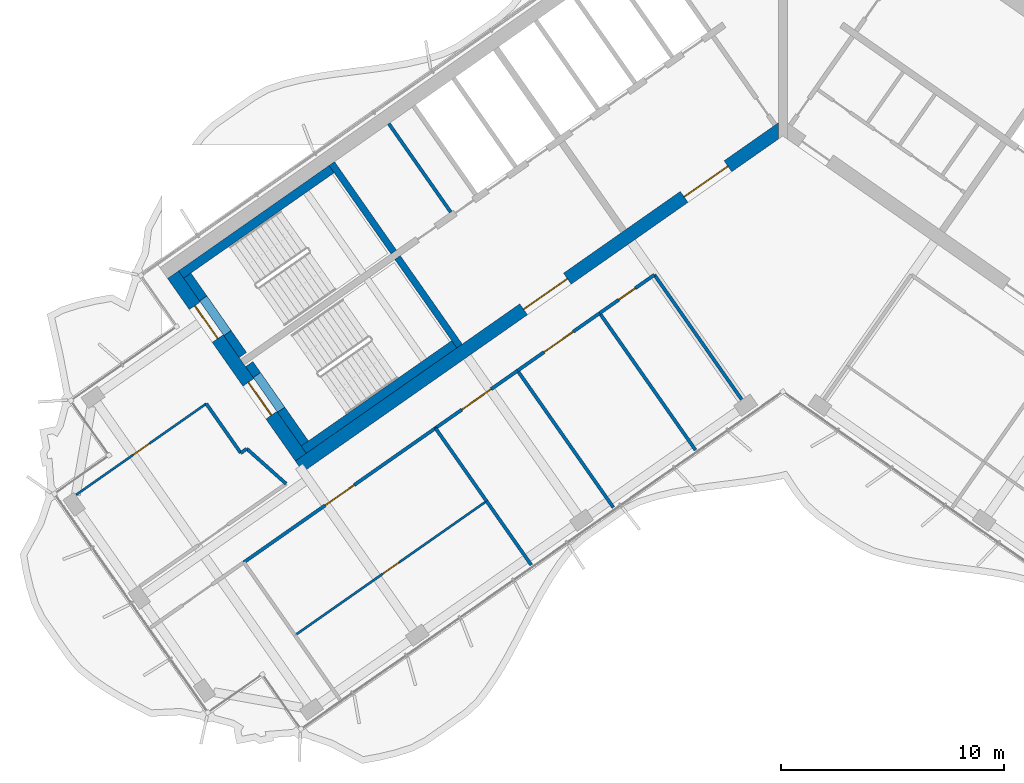
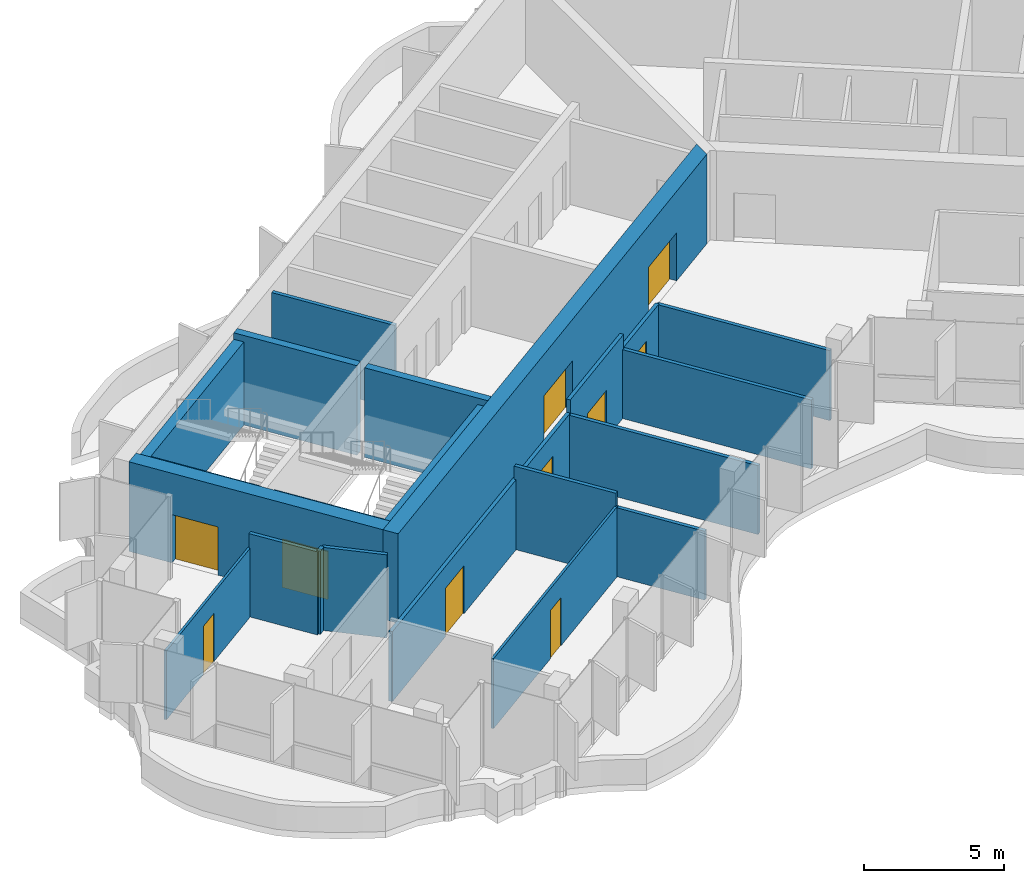
# One storey, part 11 of 20: 27 walls, 10 doors, 10 openings.
"""IFC4 building model written with IfcOpenShell, lengths in metres."""

from ifc_helpers import new_model, si_unit, direction, frame, frame_2d, origin, place, context, subcontext, project, spatial, polyline, rectangle, outline, extrude, material, layer, layer_set, type_object, element, fill, save


model = new_model("IFC4")

# Units and contexts
model_context = context("Model", 3, precision=1e-05, world=origin(), true_north=direction((0.0, 1.0)))
body_context = subcontext(model_context, "Body", "Model", "MODEL_VIEW")
ifc_project = project(units=[si_unit("LENGTHUNIT", "METRE"), si_unit("AREAUNIT", "SQUARE_METRE"), si_unit("VOLUMEUNIT", "CUBIC_METRE"), si_unit("PLANEANGLEUNIT", "RADIAN"), si_unit("MASSUNIT", "GRAM", prefix="KILO")], contexts=[model_context])

# Site, building, storey
site_placement = place(None, origin())
site = spatial("IfcSite", under=ifc_project, at=site_placement, CompositionType="ELEMENT")
building_placement = place(site_placement, origin())
building = spatial("IfcBuilding", under=site, at=building_placement, Name="Tel Ilan Convention Tower", CompositionType="ELEMENT")
storey_placement = place(building_placement, frame((0.0, 0.0, 237.10009765625)))
storey = spatial("IfcBuildingStorey", under=building, at=storey_placement, Name="L55", CompositionType="ELEMENT", Elevation=237.10009765625)

# Walls
ifc_material_1 = material(Name="Gypsum Plasterboard on Steel Stud", Category="steel")
ifc_layer_1 = layer(ifc_material_1, 0.14990234375)
ifc_layer_set_1 = layer_set([ifc_layer_1], Name="Core Room Partition Wall 150 mm EI 60")
wall_type_1 = type_object("IfcWallType", Name="Core Room Partition Wall 150 mm EI 60", PredefinedType="PARTITIONING", material=ifc_layer_set_1)
wall_1_placement = place(storey_placement, frame((-14.909423828125, -4.64111328125, 0.0), z_axis=(0.0, 0.0, 1.0), x_axis=(-0.573560315113, 0.819163332265, 0.0)))
element("IfcWall", 1, at=wall_1_placement, inside=storey, type_object=wall_type_1, Name="L55 core wall bank-W2-split", PredefinedType="PARTITIONING", context=body_context, shape_type="SweptSolid", body=[
    extrude(rectangle(XDim=4.849853515625, YDim=0.14990234375, at=frame_2d((2.4248046875, 0.0))), origin(), (0.0, 0.0, 1.0), 3.619873046875),
])
ifc_material_2 = material(Name="Concrete C40/50", Category="concrete")
ifc_layer_2 = layer(ifc_material_2, 0.300048828125)
ifc_layer_set_2 = layer_set([ifc_layer_2], Name="Core Shear Wall 300 mm C40/50")
wall_type_2 = type_object("IfcWallType", Name="Core Shear Wall 300 mm C40/50", PredefinedType="SHEAR", material=ifc_layer_set_2)
wall_2_placement = place(storey_placement, frame((-14.515380859375, -10.652099609375, 0.0), z_axis=(0.0, 0.0, 1.0), x_axis=(-0.573560315113, 0.819163332265, 0.0)))
element("IfcWall", 2, at=wall_2_placement, inside=storey, type_object=wall_type_2, Name="L55 core wall W-cross2-1", PredefinedType="SHEAR", context=body_context, shape_type="SweptSolid", body=[
    extrude(outline(polyline([(4.85009765625, 0.14990234375), (0.0, 0.14990234375), (0.0, -0.150146484375), (4.85009765625, -0.14990234375), (4.85009765625, 0.14990234375)])), origin(), (0.0, 0.0, 1.0), 3.89990234375),
])
wall_3_placement = place(storey_placement, frame((-17.46923828125, -6.433349609375, 0.0), z_axis=(0.0, 0.0, 1.0), x_axis=(-0.573594092424, 0.81913968109, 0.0)))
element("IfcWall", 3, at=wall_3_placement, inside=storey, type_object=wall_type_2, Name="L55 core wall W-cross2-2", PredefinedType="SHEAR", context=body_context, shape_type="SweptSolid", body=[
    extrude(outline(polyline([(4.849853515625, -0.150146484375), (4.849853515625, 0.14990234375), (0.0, 0.14990234375), (0.0, -0.14990234375), (4.849853515625, -0.150146484375)])), origin(), (0.0, 0.0, 1.0), 3.89990234375),
])

# Wall, openings, doors
ifc_material_3 = material(Name="Concrete C40/50", Category="concrete")
ifc_layer_3 = layer(ifc_material_3, 0.60009765625)
ifc_layer_set_3 = layer_set([ifc_layer_3], Name="Core Shear Wall 600 mm C40/50")
wall_type_3 = type_object("IfcWallType", Name="Core Shear Wall 600 mm C40/50", PredefinedType="SHEAR", material=ifc_layer_set_3)
wall_4_placement = place(storey_placement, frame((-0.02783203125, -0.8740234375, 0.0), z_axis=(0.0, 0.0, 1.0), x_axis=(-0.819150035022, -0.573579305871, 0.0)))
wall_4 = element("IfcWall", 4, at=wall_4_placement, inside=storey, type_object=wall_type_3, Name="L55 core wall W-front", PredefinedType="SHEAR", context=body_context, shape_type="SweptSolid", body=[
    extrude(outline(polyline([(26.475830078125, 0.2998046875), (0.420166015625, 0.300048828125), (0.000244140625, -0.300048828125), (26.475830078125, -0.300048828125), (26.475830078125, 0.2998046875)])), origin(), (0.0, 0.0, 1.0), 3.89990234375),
])
opening_1_placement = place(wall_4_placement, frame((2.975830078125, 0.0, 0.0)))
opening_1 = element("IfcOpeningElement", 5, at=opening_1_placement, cuts=wall_4, Name="Opening CD4206", PredefinedType="OPENING", context=body_context, shape_type="SweptSolid", body=[
    extrude(rectangle(XDim=2.39990234375, YDim=2.10009765625, at=frame_2d((1.199951171875, 1.050048828125))), frame((0.0, 0.31005859375, 0.0), z_axis=(0.0, -1.0, 0.0), x_axis=(1.0, 0.0, 0.0)), (0.0, 0.0, 1.0), 0.6201171875),
])
opening_2_placement = place(wall_4_placement, frame((11.77587890625, 0.0, 0.0)))
opening_2 = element("IfcOpeningElement", 6, at=opening_2_placement, cuts=wall_4, Name="Opening CD4207", PredefinedType="OPENING", context=body_context, shape_type="SweptSolid", body=[
    extrude(rectangle(XDim=2.39990234375, YDim=2.10009765625, at=frame_2d((1.199951171875, 1.050048828125))), frame((0.0, 0.31005859375, 0.0), z_axis=(0.0, -1.0, 0.0), x_axis=(1.0, 0.0, 0.0)), (0.0, 0.0, 1.0), 0.6201171875),
])
ifc_material_4 = material(Name="Glazed Aluminium Door Leaf", Category="aluminium")
door_type_1 = type_object("IfcDoorType", Name="Lobby Opening Door 2400 x 2100 FD60S", OperationType="NOTDEFINED", PredefinedType="DOOR", material=ifc_material_4)
door_1_placement = place(opening_1_placement, origin())
door_1 = element("IfcDoor", 7, at=door_1_placement, inside=storey, type_object=door_type_1, Name="Lift Lobby HR1-HR4 opening", OperationType="DOUBLE_DOOR_SINGLE_SWING", OverallHeight=2.10009765625, OverallWidth=2.39990234375, PredefinedType="DOOR", context=body_context, shape_type="SweptSolid", body=[
    extrude(rectangle(XDim=2.39990234375, YDim=2.10009765625, at=frame_2d((1.199951171875, 1.050048828125))), frame((0.0, 0.02490234375, 0.0), z_axis=(0.0, -1.0, 0.0), x_axis=(1.0, 0.0, 0.0)), (0.0, 0.0, 1.0), 0.050048828125),
])
fill(opening_1, door_1)
door_2_placement = place(opening_2_placement, origin())
door_2 = element("IfcDoor", 8, at=door_2_placement, inside=storey, type_object=door_type_1, Name="Lift Lobby HR5-HR6 opening", OperationType="DOUBLE_DOOR_SINGLE_SWING", OverallHeight=2.10009765625, OverallWidth=2.39990234375, PredefinedType="DOOR", context=body_context, shape_type="SweptSolid", body=[
    extrude(rectangle(XDim=2.39990234375, YDim=2.10009765625, at=frame_2d((1.199951171875, 1.050048828125))), frame((0.0, 0.02490234375, 0.0), z_axis=(0.0, -1.0, 0.0), x_axis=(1.0, 0.0, 0.0)), (0.0, 0.0, 1.0), 0.050048828125),
])
fill(opening_2, door_2)

wall_5_placement = place(storey_placement, frame((-21.641845703125, -15.64208984375, 0.0), z_axis=(0.0, 0.0, 1.0), x_axis=(-0.573586866468, 0.819144740944, 0.0)))
wall_5 = element("IfcWall", 9, at=wall_5_placement, inside=storey, type_object=wall_type_3, Name="L55 core wall W-end", PredefinedType="SHEAR", context=body_context, shape_type="SweptSolid", body=[
    extrude(outline(polyline([(0.0, 0.300048828125), (0.0, -0.2998046875), (10.0, -0.300048828125), (10.0, 0.300048828125), (0.0, 0.300048828125)])), origin(), (0.0, 0.0, 1.0), 3.89990234375),
])
opening_3_placement = place(wall_5_placement, frame((6.5, 0.0, 0.0)))
opening_3 = element("IfcOpeningElement", 10, at=opening_3_placement, cuts=wall_5, Name="Opening SD4201", PredefinedType="OPENING", context=body_context, shape_type="SweptSolid", body=[
    extrude(rectangle(XDim=1.800048828125, YDim=2.10009765625, at=frame_2d((0.89990234375, 1.050048828125))), frame((0.0, 0.31005859375, 0.0), z_axis=(0.0, -1.0, 0.0), x_axis=(1.0, 0.0, 0.0)), (0.0, 0.0, 1.0), 0.6201171875),
])
opening_4_placement = place(wall_5_placement, frame((2.300048828125, 0.0, 0.0)))
opening_4 = element("IfcOpeningElement", 11, at=opening_4_placement, cuts=wall_5, Name="Opening SD4202", PredefinedType="OPENING", context=body_context, shape_type="SweptSolid", body=[
    extrude(rectangle(XDim=1.800048828125, YDim=2.10009765625, at=frame_2d((0.89990234375, 1.050048828125))), frame((0.0, 0.31005859375, 0.0), z_axis=(0.0, -1.0, 0.0), x_axis=(1.0, 0.0, 0.0)), (0.0, 0.0, 1.0), 0.6201171875),
])
ifc_material_5 = material(Name="Galvanised Steel Door Leaf", Category="steel")
door_type_2 = type_object("IfcDoorType", Name="Stair Fire Door 1800 x 2100 FD60S", OperationType="NOTDEFINED", PredefinedType="DOOR", material=ifc_material_5)
door_3_placement = place(opening_3_placement, origin())
door_3 = element("IfcDoor", 12, at=door_3_placement, inside=storey, type_object=door_type_2, Name="Stair S1 door", OperationType="DOUBLE_DOOR_SINGLE_SWING", OverallHeight=2.10009765625, OverallWidth=1.800048828125, PredefinedType="DOOR", context=body_context, shape_type="SweptSolid", body=[
    extrude(rectangle(XDim=1.800048828125, YDim=2.10009765625, at=frame_2d((0.89990234375, 1.050048828125))), frame((0.0, 0.02490234375, 0.0), z_axis=(0.0, -1.0, 0.0), x_axis=(1.0, 0.0, 0.0)), (0.0, 0.0, 1.0), 0.050048828125),
])
fill(opening_3, door_3)
door_4_placement = place(opening_4_placement, origin())
door_4 = element("IfcDoor", 13, at=door_4_placement, inside=storey, type_object=door_type_2, Name="Stair S2 door", OperationType="DOUBLE_DOOR_SINGLE_SWING", OverallHeight=2.10009765625, OverallWidth=1.800048828125, PredefinedType="DOOR", context=body_context, shape_type="SweptSolid", body=[
    extrude(rectangle(XDim=1.800048828125, YDim=2.10009765625, at=frame_2d((0.89990234375, 1.050048828125))), frame((0.0, 0.02490234375, 0.0), z_axis=(0.0, -1.0, 0.0), x_axis=(1.0, 0.0, 0.0)), (0.0, 0.0, 1.0), 0.050048828125),
])
fill(opening_4, door_4)

# Wall, opening, door
ifc_material_6 = material(Name="Plasterboard on Steel Studs", Category="steel")
ifc_layer_4 = layer(ifc_material_6, 0.14990234375)
ifc_layer_set_4 = layer_set([ifc_layer_4], Name="Fire-rated Partition 150 EI 60")
wall_type_4 = type_object("IfcWallType", Name="Fire-rated Partition 150 EI 60", PredefinedType="PARTITIONING", material=ifc_layer_set_4)
wall_6_placement = place(storey_placement, frame((-5.766357421875, -7.455810546875, 0.0), z_axis=(0.0, 0.0, 1.0), x_axis=(-0.81915932427, -0.57356603932, 0.0)))
wall_6 = element("IfcWall", 14, at=wall_6_placement, inside=storey, type_object=wall_type_4, Name="Partition 008", PredefinedType="PARTITIONING", context=body_context, shape_type="SweptSolid", body=[
    extrude(rectangle(XDim=3.002197265625, YDim=0.14990234375, at=frame_2d((1.5009765625, 0.0))), origin(), (0.0, 0.0, 1.0), 3.0498046875),
])
opening_5_placement = place(wall_6_placement, frame((1.051025390625, 0.0, 0.0)))
opening_5 = element("IfcOpeningElement", 15, at=opening_5_placement, cuts=wall_6, Name="Opening L53-001", PredefinedType="OPENING", context=body_context, shape_type="SweptSolid", body=[
    extrude(rectangle(XDim=0.89990234375, YDim=2.10009765625, at=frame_2d((0.449951171875, 1.050048828125))), frame((0.0, 0.0849609375, 0.0), z_axis=(0.0, -1.0, 0.0), x_axis=(1.0, 0.0, 0.0)), (0.0, 0.0, 1.0), 0.169921875),
])
ifc_material_7 = material(Name="Timber Door Leaf in Steel Frame", Category="steel")
door_type_3 = type_object("IfcDoorType", Name="Room Fire Door 900x2100", OperationType="NOTDEFINED", PredefinedType="DOOR", material=ifc_material_7)
door_5_placement = place(opening_5_placement, origin())
door_5 = element("IfcDoor", 16, at=door_5_placement, inside=storey, type_object=door_type_3, Name="Door L53-001", OperationType="SINGLE_SWING_RIGHT", OverallHeight=2.10009765625, OverallWidth=0.89990234375, PredefinedType="DOOR", context=body_context, shape_type="SweptSolid", body=[
    extrude(rectangle(XDim=0.89990234375, YDim=2.10009765625, at=frame_2d((0.449951171875, 1.050048828125))), frame((0.0, 0.02490234375, 0.0), z_axis=(0.0, -1.0, 0.0), x_axis=(1.0, 0.0, 0.0)), (0.0, 0.0, 1.0), 0.050048828125),
])
fill(opening_5, door_5)

wall_7_placement = place(storey_placement, frame((-8.22216796875, -9.17529296875, 0.0), z_axis=(0.0, 0.0, 1.0), x_axis=(-0.819140235121, -0.573593301221, 0.0)))
wall_7 = element("IfcWall", 17, at=wall_7_placement, inside=storey, type_object=wall_type_4, Name="Partition 009", PredefinedType="PARTITIONING", context=body_context, shape_type="SweptSolid", body=[
    extrude(rectangle(XDim=4.504150390625, YDim=0.14990234375, at=frame_2d((2.251953125, 0.0))), origin(), (0.0, 0.0, 1.0), 3.619873046875),
])
opening_6_placement = place(wall_7_placement, frame((1.451904296875, 0.0, 0.0)))
opening_6 = element("IfcOpeningElement", 18, at=opening_6_placement, cuts=wall_7, Name="Opening L53-002", PredefinedType="OPENING", context=body_context, shape_type="SweptSolid", body=[
    extrude(rectangle(XDim=1.60009765625, YDim=2.10009765625, at=frame_2d((0.800048828125, 1.050048828125))), frame((0.0, 0.0849609375, 0.0), z_axis=(0.0, -1.0, 0.0), x_axis=(1.0, 0.0, 0.0)), (0.0, 0.0, 1.0), 0.169921875),
])
ifc_material_8 = material(Name="Timber Door Leaf in Steel Frame", Category="steel")
door_type_4 = type_object("IfcDoorType", Name="Tenant Suite Entrance Fire Door 1600x2100", OperationType="NOTDEFINED", PredefinedType="DOOR", material=ifc_material_8)
door_6_placement = place(opening_6_placement, origin())
door_6 = element("IfcDoor", 19, at=door_6_placement, inside=storey, type_object=door_type_4, Name="Door L53-002", OperationType="DOUBLE_DOOR_SINGLE_SWING", OverallHeight=2.10009765625, OverallWidth=1.60009765625, PredefinedType="DOOR", context=body_context, shape_type="SweptSolid", body=[
    extrude(rectangle(XDim=1.60009765625, YDim=2.10009765625, at=frame_2d((0.800048828125, 1.050048828125))), frame((0.0, 0.02490234375, 0.0), z_axis=(0.0, -1.0, 0.0), x_axis=(1.0, 0.0, 0.0)), (0.0, 0.0, 1.0), 0.050048828125),
])
fill(opening_6, door_6)

wall_8_placement = place(storey_placement, frame((-11.908447265625, -11.756591796875, 0.0), z_axis=(0.0, 0.0, 1.0), x_axis=(-0.819165703328, -0.573556928727, 0.0)))
wall_8 = element("IfcWall", 20, at=wall_8_placement, inside=storey, type_object=wall_type_4, Name="Partition 010", PredefinedType="PARTITIONING", context=body_context, shape_type="SweptSolid", body=[
    extrude(rectangle(XDim=4.50390625, YDim=0.14990234375, at=frame_2d((2.251953125, 0.0))), origin(), (0.0, 0.0, 1.0), 3.0498046875),
])
opening_7_placement = place(wall_8_placement, frame((1.451904296875, 0.0, 0.0)))
opening_7 = element("IfcOpeningElement", 21, at=opening_7_placement, cuts=wall_8, Name="Opening L53-003", PredefinedType="OPENING", context=body_context, shape_type="SweptSolid", body=[
    extrude(rectangle(XDim=1.60009765625, YDim=2.10009765625, at=frame_2d((0.800048828125, 1.050048828125))), frame((0.0, 0.0849609375, 0.0), z_axis=(0.0, -1.0, 0.0), x_axis=(1.0, 0.0, 0.0)), (0.0, 0.0, 1.0), 0.169921875),
])
door_7_placement = place(opening_7_placement, origin())
door_7 = element("IfcDoor", 22, at=door_7_placement, inside=storey, type_object=door_type_4, Name="Door L53-003", OperationType="DOUBLE_DOOR_SINGLE_SWING", OverallHeight=2.10009765625, OverallWidth=1.60009765625, PredefinedType="DOOR", context=body_context, shape_type="SweptSolid", body=[
    extrude(rectangle(XDim=1.60009765625, YDim=2.10009765625, at=frame_2d((0.800048828125, 1.050048828125))), frame((0.0, 0.02490234375, 0.0), z_axis=(0.0, -1.0, 0.0), x_axis=(1.0, 0.0, 0.0)), (0.0, 0.0, 1.0), 0.050048828125),
])
fill(opening_7, door_7)

wall_9_placement = place(storey_placement, frame((-15.594482421875, -14.337646484375, 0.0), z_axis=(0.0, 0.0, 1.0), x_axis=(-0.819164214721, -0.57355905478, 0.0)))
wall_9 = element("IfcWall", 23, at=wall_9_placement, inside=storey, type_object=wall_type_4, Name="Partition 011", PredefinedType="PARTITIONING", context=body_context, shape_type="SweptSolid", body=[
    extrude(rectangle(XDim=10.50390625, YDim=0.14990234375, at=frame_2d((5.251953125, 0.0))), origin(), (0.0, 0.0, 1.0), 3.0498046875),
])
opening_8_placement = place(wall_9_placement, frame((4.451904296875, 0.0, 0.0)))
opening_8 = element("IfcOpeningElement", 24, at=opening_8_placement, cuts=wall_9, Name="Opening L53-004", PredefinedType="OPENING", context=body_context, shape_type="SweptSolid", body=[
    extrude(rectangle(XDim=1.60009765625, YDim=2.10009765625, at=frame_2d((0.800048828125, 1.050048828125))), frame((0.0, 0.0849609375, 0.0), z_axis=(0.0, -1.0, 0.0), x_axis=(1.0, 0.0, 0.0)), (0.0, 0.0, 1.0), 0.169921875),
])
door_8_placement = place(opening_8_placement, origin())
door_8 = element("IfcDoor", 25, at=door_8_placement, inside=storey, type_object=door_type_4, Name="Door L53-004", OperationType="DOUBLE_DOOR_SINGLE_SWING", OverallHeight=2.10009765625, OverallWidth=1.60009765625, PredefinedType="DOOR", context=body_context, shape_type="SweptSolid", body=[
    extrude(rectangle(XDim=1.60009765625, YDim=2.10009765625, at=frame_2d((0.800048828125, 1.050048828125))), frame((0.0, 0.02490234375, 0.0), z_axis=(0.0, -1.0, 0.0), x_axis=(1.0, 0.0, 0.0)), (0.0, 0.0, 1.0), 0.050048828125),
])
fill(opening_8, door_8)

# Walls
wall_10_placement = place(storey_placement, frame((-1.848876953125, -13.050537109375, 0.0), z_axis=(0.0, 0.0, 1.0), x_axis=(-0.57357985571, 0.819149650018, 0.0)))
element("IfcWall", 26, at=wall_10_placement, inside=storey, type_object=wall_type_4, Name="Partition 025", PredefinedType="PARTITIONING", context=body_context, shape_type="SweptSolid", body=[
    extrude(rectangle(XDim=6.83203125, YDim=0.14990234375, at=frame_2d((3.416015625, 0.0))), origin(), (0.0, 0.0, 1.0), 3.0498046875),
])
wall_11_placement = place(storey_placement, frame((-24.337158203125, -15.4541015625, 0.0), z_axis=(0.0, 0.0, 1.0), x_axis=(-0.573571492575, 0.819155505936, 0.0)))
element("IfcWall", 27, at=wall_11_placement, inside=storey, type_object=wall_type_4, Name="Partition 026", PredefinedType="PARTITIONING", context=body_context, shape_type="SweptSolid", body=[
    extrude(rectangle(XDim=2.701904296875, YDim=0.14990234375, at=frame_2d((1.35107421875, 0.0))), origin(), (0.0, 0.0, 1.0), 3.619873046875),
])
wall_12_placement = place(storey_placement, frame((-22.2998046875, -16.83740234375, 0.0), z_axis=(0.0, 0.0, 1.0), x_axis=(-0.746942190663, 0.664888986078, 0.0)))
element("IfcWall", 28, at=wall_12_placement, inside=storey, type_object=wall_type_4, Name="Partition 027", PredefinedType="PARTITIONING", context=body_context, shape_type="SweptSolid", body=[
    extrude(rectangle(XDim=2.365478515625, YDim=0.14990234375, at=frame_2d((1.1826171875, 0.0))), origin(), (0.0, 0.0, 1.0), 3.619873046875),
])
wall_13_placement = place(storey_placement, frame((-24.066650390625, -15.2646484375, 0.0), z_axis=(0.0, 0.0, 1.0), x_axis=(-0.819092976344, -0.573660784876, 0.0)))
element("IfcWall", 29, at=wall_13_placement, inside=storey, type_object=wall_type_4, Name="Partition 028", PredefinedType="PARTITIONING", context=body_context, shape_type="SweptSolid", body=[
    extrude(rectangle(XDim=0.330322265625, YDim=0.14990234375, at=frame_2d((0.1650390625, 0.0))), origin(), (0.0, 0.0, 1.0), 3.619873046875),
])
for number, where, z_axis, x_axis, name in (
    (30, (-3.922119140625, -15.3203125, 0.0), (0.0, 0.0, 1.0), (-0.573560650686, 0.819163097304, 0.0), "Partition 030"),
    (31, (-7.608154296875, -17.9013671875, 0.0), (0.0, 0.0, 1.0), (-0.573560650686, 0.819163097304, 0.0), "Partition 031"),
):
    element("IfcWall", number, at=place(storey_placement, frame(where, z_axis=z_axis, x_axis=x_axis)), inside=storey, type_object=wall_type_4, Name=name, PredefinedType="PARTITIONING", context=body_context, shape_type="SweptSolid", body=[
        extrude(rectangle(XDim=7.5, YDim=0.14990234375, at=frame_2d((3.75, 0.0))), origin(), (0.0, 0.0, 1.0), 3.0),
    ])
wall_14_placement = place(storey_placement, frame((-11.29443359375, -20.482421875, 0.0), z_axis=(0.0, 0.0, 1.0), x_axis=(-0.573560622794, 0.819163116834, 0.0)))
element("IfcWall", 32, at=wall_14_placement, inside=storey, type_object=wall_type_4, Name="Partition 032", PredefinedType="PARTITIONING", context=body_context, shape_type="SweptSolid", body=[
    extrude(rectangle(XDim=3.5009765625, YDim=0.14990234375, at=frame_2d((1.75048828125, 0.0))), origin(), (0.0, 0.0, 1.0), 3.0),
])
wall_15_placement = place(storey_placement, frame((-13.30078125, -17.616943359375, 0.0), z_axis=(0.0, 0.0, 1.0), x_axis=(-0.573560601885, 0.819163131473, 0.0)))
element("IfcWall", 33, at=wall_15_placement, inside=storey, type_object=wall_type_4, Name="Partition 033", PredefinedType="PARTITIONING", context=body_context, shape_type="SweptSolid", body=[
    extrude(rectangle(XDim=4.001953125, YDim=0.14990234375, at=frame_2d((2.0009765625, 0.0))), origin(), (0.0, 0.0, 1.0), 3.619873046875),
])

# Wall, opening, door
ifc_material_9 = material(Name="Plasterboard on Steel Studs", Category="steel")
ifc_layer_5 = layer(ifc_material_9, 0.10009765625)
ifc_layer_set_5 = layer_set([ifc_layer_5], Name="Plasterboard Partition 100")
wall_type_5 = type_object("IfcWallType", Name="Plasterboard Partition 100", PredefinedType="PARTITIONING", material=ifc_layer_set_5)
wall_16_placement = place(storey_placement, frame((-31.72705078125, -17.331298828125, 0.0), z_axis=(0.0, 0.0, 1.0), x_axis=(0.819140241507, 0.573593292101, 0.0)))
wall_16 = element("IfcWall", 34, at=wall_16_placement, inside=storey, type_object=wall_type_5, Name="Partition 029", PredefinedType="PARTITIONING", context=body_context, shape_type="SweptSolid", body=[
    extrude(rectangle(XDim=7.1318359375, YDim=0.10009765625, at=frame_2d((3.56591796875, 0.0))), origin(), (0.0, 0.0, 1.0), 3.0),
])
opening_9_placement = place(wall_16_placement, frame((3.115966796875, 0.0, 0.0)))
opening_9 = element("IfcOpeningElement", 35, at=opening_9_placement, cuts=wall_16, Name="Opening L53-008", PredefinedType="OPENING", context=body_context, shape_type="SweptSolid", body=[
    extrude(rectangle(XDim=0.89990234375, YDim=2.10009765625, at=frame_2d((0.449951171875, 1.050048828125))), frame((0.0, 0.06005859375, 0.0), z_axis=(0.0, -1.0, 0.0), x_axis=(1.0, 0.0, 0.0)), (0.0, 0.0, 1.0), 0.1201171875),
])
ifc_material_10 = material(Name="Timber Door Leaf in Steel Frame", Category="steel")
door_type_5 = type_object("IfcDoorType", Name="Room Timber Door 900x2100", OperationType="NOTDEFINED", PredefinedType="DOOR", material=ifc_material_10)
door_9_placement = place(opening_9_placement, origin())
door_9 = element("IfcDoor", 36, at=door_9_placement, inside=storey, type_object=door_type_5, Name="Door L53-008", OperationType="SINGLE_SWING_RIGHT", OverallHeight=2.10009765625, OverallWidth=0.89990234375, PredefinedType="DOOR", context=body_context, shape_type="SweptSolid", body=[
    extrude(rectangle(XDim=0.89990234375, YDim=2.10009765625, at=frame_2d((0.449951171875, 1.050048828125))), frame((0.0, 0.02490234375, 0.0), z_axis=(0.0, -1.0, 0.0), x_axis=(1.0, 0.0, 0.0)), (0.0, 0.0, 1.0), 0.050048828125),
])
fill(opening_9, door_9)

wall_17_placement = place(storey_placement, frame((-13.30126953125, -17.6162109375, 0.0), z_axis=(0.0, 0.0, 1.0), x_axis=(-0.819155448096, -0.573571575181, 0.0)))
wall_17 = element("IfcWall", 37, at=wall_17_placement, inside=storey, type_object=wall_type_5, Name="Partition 034", PredefinedType="PARTITIONING", context=body_context, shape_type="SweptSolid", body=[
    extrude(rectangle(XDim=10.5, YDim=0.10009765625, at=frame_2d((5.25, 0.0))), origin(), (0.0, 0.0, 1.0), 3.0498046875),
])
opening_10_placement = place(wall_17_placement, frame((4.800048828125, 0.0, 0.0)))
opening_10 = element("IfcOpeningElement", 38, at=opening_10_placement, cuts=wall_17, Name="Opening L53-005", PredefinedType="OPENING", context=body_context, shape_type="SweptSolid", body=[
    extrude(rectangle(XDim=0.89990234375, YDim=2.10009765625, at=frame_2d((0.449951171875, 1.050048828125))), frame((0.0, 0.06005859375, 0.0), z_axis=(0.0, -1.0, 0.0), x_axis=(1.0, 0.0, 0.0)), (0.0, 0.0, 1.0), 0.1201171875),
])
door_10_placement = place(opening_10_placement, origin())
door_10 = element("IfcDoor", 39, at=door_10_placement, inside=storey, type_object=door_type_5, Name="Door L53-005", OperationType="SINGLE_SWING_LEFT", OverallHeight=2.10009765625, OverallWidth=0.89990234375, PredefinedType="DOOR", context=body_context, shape_type="SweptSolid", body=[
    extrude(rectangle(XDim=0.89990234375, YDim=2.10009765625, at=frame_2d((0.449951171875, 1.050048828125))), frame((0.0, 0.02490234375, 0.0), z_axis=(0.0, -1.0, 0.0), x_axis=(1.0, 0.0, 0.0)), (0.0, 0.0, 1.0), 0.050048828125),
])
fill(opening_10, door_10)

# Walls
ifc_material_11 = material(Name="Concrete C30/37", Category="concrete")
ifc_layer_6 = layer(ifc_material_11, 0.39990234375)
ifc_layer_set_6 = layer_set([ifc_layer_6], Name="Stair and Shaft Lining Wall 400 mm C30/37")
wall_type_6 = type_object("IfcWallType", Name="Stair and Shaft Lining Wall 400 mm C30/37", PredefinedType="SOLIDWALL", material=ifc_layer_set_6)
wall_18_placement = place(storey_placement, frame((-20.25927734375, -2.71044921875, 0.0), z_axis=(0.0, 0.0, 1.0), x_axis=(-0.81914849389, -0.573581506813, 0.0)))
element("IfcWall", 40, at=wall_18_placement, inside=storey, type_object=wall_type_6, Name="L55 core wall lining-S1-t1", PredefinedType="SOLIDWALL", context=body_context, shape_type="SweptSolid", body=[
    extrude(rectangle(XDim=8.249755859375, YDim=0.39990234375, at=frame_2d((4.125, 0.0))), origin(), (0.0, 0.0, 1.0), 3.619873046875),
])
wall_19_placement = place(storey_placement, frame((-24.24365234375, -11.0546875, 0.0), z_axis=(0.0, 0.0, 1.0), x_axis=(-0.573571582932, 0.819155442668, 0.0)))
element("IfcWall", 41, at=wall_19_placement, inside=storey, type_object=wall_type_6, Name="L55 core wall lining-S1-u1-0", PredefinedType="SOLIDWALL", context=body_context, shape_type="SweptSolid", body=[
    extrude(rectangle(XDim=1.199951171875, YDim=0.39990234375, at=frame_2d((0.60009765625, 0.0))), origin(), (0.0, 0.0, 1.0), 3.619873046875),
])
wall_20_placement = place(storey_placement, frame((-26.021728515625, -8.515380859375, 0.0), z_axis=(0.0, 0.0, 1.0), x_axis=(-0.573619628835, 0.819121798889, 0.0)))
element("IfcWall", 42, at=wall_20_placement, inside=storey, type_object=wall_type_6, Name="L55 core wall lining-S1-u1-1", PredefinedType="SOLIDWALL", context=body_context, shape_type="SweptSolid", body=[
    extrude(rectangle(XDim=1.25, YDim=0.39990234375, at=frame_2d((0.625, 0.0))), origin(), (0.0, 0.0, 1.0), 3.619873046875),
])
wall_21_placement = place(storey_placement, frame((-24.931884765625, -10.07177734375, 2.14990234375), z_axis=(0.0, 0.0, 1.0), x_axis=(-0.573591692345, 0.819141361715, 0.0)))
element("IfcWall", 43, at=wall_21_placement, inside=storey, type_object=wall_type_6, Name="L55 core wall lining-S1-u1-lintel", PredefinedType="SOLIDWALL", context=body_context, shape_type="SweptSolid", body=[
    extrude(rectangle(XDim=1.900146484375, YDim=0.39990234375, at=frame_2d((0.9501953125, 0.0))), origin(), (0.0, 0.0, 1.0), 1.469970703125),
])
wall_22_placement = place(storey_placement, frame((-14.7529296875, -10.57421875, 0.0), z_axis=(0.0, 0.0, 1.0), x_axis=(-0.819158229677, -0.573567602601, 0.0)))
element("IfcWall", 44, at=wall_22_placement, inside=storey, type_object=wall_type_6, Name="L55 core wall lining-S2-t0", PredefinedType="SOLIDWALL", context=body_context, shape_type="SweptSolid", body=[
    extrude(rectangle(XDim=8.25, YDim=0.39990234375, at=frame_2d((4.125, 0.0))), origin(), (0.0, 0.0, 1.0), 3.619873046875),
])
wall_23_placement = place(storey_placement, frame((-21.4619140625, -15.027587890625, 0.0), z_axis=(0.0, 0.0, 1.0), x_axis=(-0.573559770908, 0.819163713305, 0.0)))
element("IfcWall", 45, at=wall_23_placement, inside=storey, type_object=wall_type_6, Name="L55 core wall lining-S2-u1-0", PredefinedType="SOLIDWALL", context=body_context, shape_type="SweptSolid", body=[
    extrude(rectangle(XDim=1.849853515625, YDim=0.39990234375, at=frame_2d((0.9248046875, 0.0))), origin(), (0.0, 0.0, 1.0), 3.619873046875),
])
wall_24_placement = place(storey_placement, frame((-23.61279296875, -11.955810546875, 0.0), z_axis=(0.0, 0.0, 1.0), x_axis=(-0.573435029941, 0.819251039936, 0.0)))
element("IfcWall", 46, at=wall_24_placement, inside=storey, type_object=wall_type_6, Name="L55 core wall lining-S2-u1-1", PredefinedType="SOLIDWALL", context=body_context, shape_type="SweptSolid", body=[
    extrude(rectangle(XDim=0.599853515625, YDim=0.39990234375, at=frame_2d((0.2998046875, 0.0))), origin(), (0.0, 0.0, 1.0), 3.619873046875),
])
wall_25_placement = place(storey_placement, frame((-22.52294921875, -13.51220703125, 2.14990234375), z_axis=(0.0, 0.0, 1.0), x_axis=(-0.573591692345, 0.819141361715, 0.0)))
element("IfcWall", 47, at=wall_25_placement, inside=storey, type_object=wall_type_6, Name="L55 core wall lining-S2-u1-lintel", PredefinedType="SOLIDWALL", context=body_context, shape_type="SweptSolid", body=[
    extrude(rectangle(XDim=1.900146484375, YDim=0.39990234375, at=frame_2d((0.9501953125, 0.0))), origin(), (0.0, 0.0, 1.0), 1.469970703125),
])

save(model, "model.ifc")
